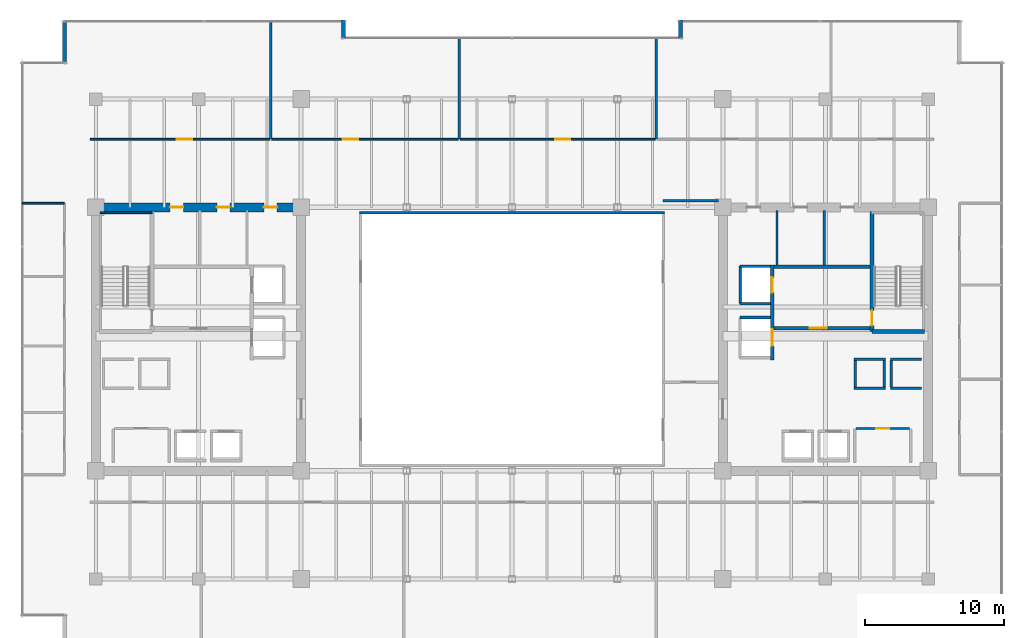
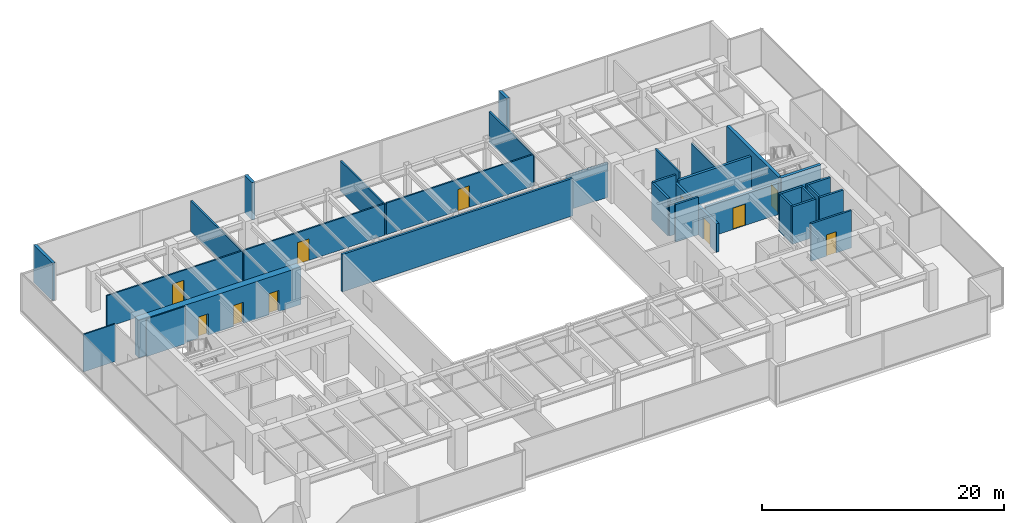
# One storey, part 27 of 31: 33 walls, 11 doors, 11 openings.
"""IFC4 building model written with IfcOpenShell, lengths in metres."""

from ifc_helpers import new_model, si_unit, direction, frame, frame_2d, origin, place, context, subcontext, project, spatial, rectangle, extrude, source, transform, mapped, material, layer, layer_set, type_object, type_shapes, element, fill, save


model = new_model("IFC4")

# Units and contexts
model_context = context("Model", 3, precision=1e-05, world=origin(), true_north=direction((0.0, 1.0)))
body_context = subcontext(model_context, "Body", "Model", "MODEL_VIEW")
ifc_project = project(units=[si_unit("LENGTHUNIT", "METRE"), si_unit("AREAUNIT", "SQUARE_METRE"), si_unit("VOLUMEUNIT", "CUBIC_METRE"), si_unit("PLANEANGLEUNIT", "RADIAN"), si_unit("MASSUNIT", "GRAM", prefix="KILO")], contexts=[model_context])

# Site, building, storey
site_placement = place(None, origin())
site = spatial("IfcSite", under=ifc_project, at=site_placement, CompositionType="ELEMENT")
building_placement = place(site_placement, origin())
building = spatial("IfcBuilding", under=site, at=building_placement, Name="Haelvirn Gate Laboratories", CompositionType="ELEMENT")
storey_placement = place(building_placement, frame((0.0, 0.0, 150.199951171875)))
storey = spatial("IfcBuildingStorey", under=building, at=storey_placement, Name="L36", CompositionType="ELEMENT", Elevation=150.199951171875)

# Walls
ifc_material_1 = material(Name="Thermally-broken bronze aluminium rainscreen & mineral wool", Category="aluminium")
ifc_layer_1 = layer(ifc_material_1, 0.280029296875, Name="EW-TERR-280")
ifc_layer_set_1 = layer_set([ifc_layer_1], Name="Thermally-broken bronze aluminium rainscreen & mineral wool")
wall_type_1 = type_object("IfcWallType", Name="EW-TERR-280", PredefinedType="STANDARD", material=ifc_layer_set_1)
for number, where, z_axis, x_axis, name in (
    (1, (49.5400390625, 47.300048828125, 0.0), (0.0, 0.0, 1.0), (0.0, -1.0, 0.0), "L36 Atrium Recess Bronze Return Wall 11"),
    (2, (25.260009765625, 46.011962890625, 0.0), (0.0, 0.0, 1.0), (0.0, 1.0, 0.0), "L36 Atrium Recess Bronze Return Wall 13"),
):
    element("IfcWall", number, at=place(storey_placement, frame(where, z_axis=z_axis, x_axis=x_axis)), inside=storey, type_object=wall_type_1, Name=name, PredefinedType="STANDARD", context=body_context, shape_type="SweptSolid", body=[
        extrude(rectangle(XDim=1.2880859375, YDim=0.280029296875, at=frame_2d((0.64404296875, 0.0))), origin(), (0.0, 0.0, 1.0), 3.7900390625),
    ])
wall_1_placement = place(storey_placement, frame((5.139892578125, 47.300048828125, 0.0), z_axis=(0.0, 0.0, 1.0), x_axis=(0.0, -1.0, 0.0)))
element("IfcWall", 3, at=wall_1_placement, inside=storey, type_object=wall_type_1, Name="L36 Atrium Recess Bronze Return Wall 15", PredefinedType="STANDARD", context=body_context, shape_type="SweptSolid", body=[
    extrude(rectangle(XDim=3.088134765625, YDim=0.280029296875, at=frame_2d((1.5439453125, 0.0))), origin(), (0.0, 0.0, 1.0), 3.7900390625),
])
ifc_material_2 = material(Name="Double-layer acoustic gypsum laboratory partition", Category="gypsum")
ifc_layer_2 = layer(ifc_material_2, 0.159912109375, Name="IW-ACOUST-160")
ifc_layer_set_2 = layer_set([ifc_layer_2], Name="Double-layer acoustic gypsum laboratory partition")
wall_type_2 = type_object("IfcWallType", Name="IW-ACOUST-160", PredefinedType="PARTITIONING", material=ifc_layer_set_2)
wall_2_placement = place(storey_placement, frame((20.0, 38.705078125, 0.0), z_axis=(0.0, 0.0, 1.0), x_axis=(0.0, 1.0, 0.0)))
element("IfcWall", 4, at=wall_2_placement, inside=storey, type_object=wall_type_2, Name="L36 Interior Wall IW-L36-NDIV-01", PredefinedType="PARTITIONING", context=body_context, shape_type="SweptSolid", body=[
    extrude(rectangle(XDim=8.48486328125, YDim=0.159912109375, at=frame_2d((4.242431640625, 0.0))), origin(), (0.0, 0.0, 1.0), 3.074951171875),
])
for number, where, z_axis, x_axis, name in (
    (5, (33.60009765625, 38.705078125, 0.0), (0.0, 0.0, 1.0), (0.0, 1.0, 0.0), "L36 Interior Wall IW-L36-NDIV-02"),
    (6, (47.800048828125, 38.705078125, 0.0), (0.0, 0.0, 1.0), (0.0, 1.0, 0.0), "L36 Interior Wall IW-L36-NDIV-03"),
):
    element("IfcWall", number, at=place(storey_placement, frame(where, z_axis=z_axis, x_axis=x_axis)), inside=storey, type_object=wall_type_2, Name=name, PredefinedType="PARTITIONING", context=body_context, shape_type="SweptSolid", body=[
        extrude(rectangle(XDim=7.284912109375, YDim=0.159912109375, at=frame_2d((3.642578125, 0.0))), origin(), (0.0, 0.0, 1.0), 3.074951171875),
    ])
ifc_material_3 = material(Name="Fire-rated acoustic gypsum board partition", Category="gypsum")
ifc_layer_3 = layer(ifc_material_3, 0.175048828125, Name="IW-ACOUST-180")
ifc_layer_set_3 = layer_set([ifc_layer_3], Name="Fire-rated acoustic gypsum board partition")
wall_type_3 = type_object("IfcWallType", Name="IW-ACOUST-180", PredefinedType="PARTITIONING", material=ifc_layer_set_3)
wall_3_placement = place(storey_placement, frame((48.300048828125, 34.260009765625, 0.0), z_axis=(0.0, 0.0, 1.0), x_axis=(1.0, 0.0, 0.0)))
element("IfcWall", 7, at=wall_3_placement, inside=storey, type_object=wall_type_3, Name="L36 Interior Wall IW-L36-ASEM-N", PredefinedType="PARTITIONING", context=body_context, shape_type="SweptSolid", body=[
    extrude(rectangle(XDim=3.974853515625, YDim=0.175048828125, at=frame_2d((1.9873046875, 0.0))), origin(), (0.0, 0.0, 1.0), 3.47509765625),
])
ifc_material_4 = material(Name="Tempered fire-rated borosilicate glass & anodised aluminium", Category="aluminium")
ifc_layer_4 = layer(ifc_material_4, 0.195068359375, Name="IW-GLAZ-200")
ifc_layer_set_4 = layer_set([ifc_layer_4], Name="Tempered fire-rated borosilicate glass & anodised aluminium")
wall_type_4 = type_object("IfcWallType", Name="IW-GLAZ-200", PredefinedType="SOLIDWALL", material=ifc_layer_set_4)
wall_4_placement = place(storey_placement, frame((26.39990234375, 33.39990234375, 0.0), z_axis=(0.0, 0.0, 1.0), x_axis=(1.0, 0.0, 0.0)))
element("IfcWall", 8, at=wall_4_placement, inside=storey, type_object=wall_type_4, Name="L36 Interior Wall IW-L36-ATRIUM-N", PredefinedType="SOLIDWALL", context=body_context, shape_type="SweptSolid", body=[
    extrude(rectangle(XDim=22.0, YDim=0.195068359375, at=frame_2d((11.0, 0.0))), origin(), (0.0, 0.0, 1.0), 3.7900390625),
])
ifc_material_5 = material(Name="Lightweight acoustic gypsum board partition", Category="gypsum")
ifc_layer_5 = layer(ifc_material_5, 0.1201171875, Name="IW-PART-120")
ifc_layer_set_5 = layer_set([ifc_layer_5], Name="Lightweight acoustic gypsum board partition")
wall_type_5 = type_object("IfcWallType", Name="IW-PART-120", PredefinedType="PARTITIONING", material=ifc_layer_set_5)
wall_5_placement = place(storey_placement, frame((2.110107421875, 34.0849609375, 0.0), z_axis=(0.0, 0.0, 1.0), x_axis=(1.0, 0.0, 0.0)))
element("IfcWall", 9, at=wall_5_placement, inside=storey, type_object=wall_type_5, Name="L36 Interior Wall IW-L36-WCAP-N", PredefinedType="PARTITIONING", context=body_context, shape_type="SweptSolid", body=[
    extrude(rectangle(XDim=3.019775390625, YDim=0.1201171875, at=frame_2d((1.509765625, 0.0))), origin(), (0.0, 0.0, 1.0), 3.7900390625),
])

# Wall, opening, door
ifc_material_6 = material(Name="Acoustic mineral-wool gypsum board partition", Category="gypsum")
ifc_layer_6 = layer(ifc_material_6, 0.139892578125, Name="IW-PART-140")
ifc_layer_set_6 = layer_set([ifc_layer_6], Name="Acoustic mineral-wool gypsum board partition")
wall_type_6 = type_object("IfcWallType", Name="IW-PART-140", PredefinedType="PARTITIONING", material=ifc_layer_set_6)
wall_6_placement = place(storey_placement, frame((6.97998046875, 38.705078125, 0.0), z_axis=(0.0, 0.0, 1.0), x_axis=(1.0, 0.0, 0.0)))
wall_6 = element("IfcWall", 10, at=wall_6_placement, inside=storey, type_object=wall_type_6, Name="L36 Interior Wall IW-L36-NCORR-01", PredefinedType="PARTITIONING", context=body_context, shape_type="SweptSolid", body=[
    extrude(rectangle(XDim=12.93994140625, YDim=0.139892578125, at=frame_2d((6.469970703125, 0.0))), origin(), (0.0, 0.0, 1.0), 3.18701171875),
])
opening_1_placement = place(wall_6_placement, frame((6.254150390625, 0.0, 0.0)))
opening_1 = element("IfcOpeningElement", 11, at=opening_1_placement, cuts=wall_6, Name="Opening D1", PredefinedType="OPENING", context=body_context, shape_type="SweptSolid", body=[
    extrude(rectangle(XDim=1.10009765625, YDim=2.179931640625, at=frame_2d((0.550048828125, 1.08984375))), frame((0.0, 0.080078125, 0.0), z_axis=(0.0, -1.0, 0.0), x_axis=(1.0, 0.0, 0.0)), (0.0, 0.0, 1.0), 0.159912109375),
])
ifc_material_7 = material(Name="Vision-panel acoustic solid-core timber lab door", Category="wood")
door_type_1 = type_object("IfcDoorType", Name="DR-LAB-1100", OperationType="NOTDEFINED", PredefinedType="DOOR", material=ifc_material_7)
shared_shape_1 = source(origin(), body_context, "Body", "SweptSolid", [
    extrude(rectangle(XDim=1.10009765625, YDim=2.179931640625, at=frame_2d((0.550048828125, 1.08984375))), frame((0.0, 0.02490234375, 0.0), z_axis=(0.0, -1.0, 0.0), x_axis=(1.0, 0.0, 0.0)), (0.0, 0.0, 1.0), 0.050048828125),
])
type_shapes(door_type_1, [shared_shape_1])
door_1_placement = place(opening_1_placement, origin())
door_1 = element("IfcDoor", 12, at=door_1_placement, inside=storey, type_object=door_type_1, Name="L36 Cryo-EM Imaging Suite Door N1", OperationType="SINGLE_SWING_RIGHT", OverallHeight=2.179931640625, OverallWidth=1.10009765625, PredefinedType="DOOR", context=body_context, shape_type="MappedRepresentation", body=[
    mapped(shared_shape_1, transform((0.0, 0.0, 0.0), scale=1.0)),
])
fill(opening_1, door_1)

wall_7_placement = place(storey_placement, frame((20.080078125, 38.705078125, 0.0), z_axis=(0.0, 0.0, 1.0), x_axis=(1.0, 0.0, 0.0)))
wall_7 = element("IfcWall", 13, at=wall_7_placement, inside=storey, type_object=wall_type_6, Name="L36 Interior Wall IW-L36-NCORR-02", PredefinedType="PARTITIONING", context=body_context, shape_type="SweptSolid", body=[
    extrude(rectangle(XDim=13.43994140625, YDim=0.139892578125, at=frame_2d((6.719970703125, 0.0))), origin(), (0.0, 0.0, 1.0), 3.18701171875),
])
opening_2_placement = place(wall_7_placement, frame((5.122314453125, 0.0, 0.0)))
opening_2 = element("IfcOpeningElement", 14, at=opening_2_placement, cuts=wall_7, Name="Opening D1", PredefinedType="OPENING", context=body_context, shape_type="SweptSolid", body=[
    extrude(rectangle(XDim=1.10009765625, YDim=2.179931640625, at=frame_2d((0.550048828125, 1.08984375))), frame((0.0, 0.080078125, 0.0), z_axis=(0.0, -1.0, 0.0), x_axis=(1.0, 0.0, 0.0)), (0.0, 0.0, 1.0), 0.159912109375),
])
door_2_placement = place(opening_2_placement, origin())
door_2 = element("IfcDoor", 15, at=door_2_placement, inside=storey, type_object=door_type_1, Name="L36 Analytical Instrument Suite Door N2", OperationType="SINGLE_SWING_LEFT", OverallHeight=2.179931640625, OverallWidth=1.10009765625, PredefinedType="DOOR", context=body_context, shape_type="MappedRepresentation", body=[
    mapped(shared_shape_1, transform((0.0, 0.0, 0.0), scale=1.0)),
])
fill(opening_2, door_2)

wall_8_placement = place(storey_placement, frame((33.679931640625, 38.705078125, 0.0), z_axis=(0.0, 0.0, 1.0), x_axis=(1.0, 0.0, 0.0)))
wall_8 = element("IfcWall", 16, at=wall_8_placement, inside=storey, type_object=wall_type_6, Name="L36 Interior Wall IW-L36-NCORR-03", PredefinedType="PARTITIONING", context=body_context, shape_type="SweptSolid", body=[
    extrude(rectangle(XDim=14.0400390625, YDim=0.139892578125, at=frame_2d((7.02001953125, 0.0))), origin(), (0.0, 0.0, 1.0), 3.18701171875),
])
opening_3_placement = place(wall_8_placement, frame((6.837158203125, 0.0, 0.0)))
opening_3 = element("IfcOpeningElement", 17, at=opening_3_placement, cuts=wall_8, Name="Opening D1", PredefinedType="OPENING", context=body_context, shape_type="SweptSolid", body=[
    extrude(rectangle(XDim=1.10009765625, YDim=2.179931640625, at=frame_2d((0.550048828125, 1.08984375))), frame((0.0, 0.080078125, 0.0), z_axis=(0.0, -1.0, 0.0), x_axis=(1.0, 0.0, 0.0)), (0.0, 0.0, 1.0), 0.159912109375),
])
door_3_placement = place(opening_3_placement, origin())
door_3 = element("IfcDoor", 18, at=door_3_placement, inside=storey, type_object=door_type_1, Name="L36 Laser-Safety Consult Room Door N3", OperationType="SINGLE_SWING_RIGHT", OverallHeight=2.179931640625, OverallWidth=1.10009765625, PredefinedType="DOOR", context=body_context, shape_type="MappedRepresentation", body=[
    mapped(shared_shape_1, transform((0.0, 0.0, 0.0), scale=1.0)),
])
fill(opening_3, door_3)

# Walls
ifc_material_8 = material(Name="Cement-board restroom plumbing chase wall", Category="gypsum")
ifc_layer_7 = layer(ifc_material_8, 0.155029296875, Name="IW-PLUMB-160")
ifc_layer_set_7 = layer_set([ifc_layer_7], Name="Cement-board restroom plumbing chase wall")
wall_type_7 = type_object("IfcWallType", Name="IW-PLUMB-160", PredefinedType="PLUMBINGWALL", material=ifc_layer_set_7)
wall_9_placement = place(storey_placement, frame((59.909912109375, 29.64990234375, 0.0), z_axis=(0.0, 0.0, 1.0), x_axis=(0.0, 1.0, 0.0)))
element("IfcWall", 19, at=wall_9_placement, inside=storey, type_object=wall_type_7, Name="L36 Interior Wall IW-L36-E-CDIV-1", PredefinedType="PLUMBINGWALL", context=body_context, shape_type="SweptSolid", body=[
    extrude(rectangle(XDim=3.93017578125, YDim=0.155029296875, at=frame_2d((1.965087890625, 0.0))), origin(), (0.0, 0.0, 1.0), 3.18701171875),
])
wall_10_placement = place(storey_placement, frame((56.510009765625, 29.64990234375, 0.0), z_axis=(0.0, 0.0, 1.0), x_axis=(0.0, 1.0, 0.0)))
element("IfcWall", 20, at=wall_10_placement, inside=storey, type_object=wall_type_7, Name="L36 Interior Wall IW-L36-E-CDIV-2", PredefinedType="PLUMBINGWALL", context=body_context, shape_type="SweptSolid", body=[
    extrude(rectangle(XDim=3.93017578125, YDim=0.155029296875, at=frame_2d((1.965087890625, 0.0))), origin(), (0.0, 0.0, 1.0), 3.7900390625),
])
ifc_material_9 = material(Name="Concrete C40/50", Category="concrete")
ifc_layer_8 = layer(ifc_material_9, 0.179931640625, Name="IW-SHAFT-180")
ifc_layer_set_8 = layer_set([ifc_layer_8], Name="Concrete C40/50")
wall_type_8 = type_object("IfcWallType", Name="IW-SHAFT-180", PredefinedType="SOLIDWALL", material=ifc_layer_set_8)
for number, where, z_axis, x_axis, name in (
    (21, (64.75, 20.85009765625, 0.0), (0.0, 0.0, 1.0), (0.0, 1.0, 0.0), "L36 Interior Wall IW-L36-PL11-SD"),
    (22, (62.14990234375, 20.85009765625, 0.0), (0.0, 0.0, 1.0), (0.0, 1.0, 0.0), "L36 Interior Wall IW-L36-PL12-SD"),
    (23, (64.25, 20.85009765625, 0.0), (0.0, 0.0, 1.0), (0.0, 1.0, 0.0), "L36 Interior Wall IW-L36-PL12-SDE"),
):
    element("IfcWall", number, at=place(storey_placement, frame(where, z_axis=z_axis, x_axis=x_axis)), inside=storey, type_object=wall_type_8, Name=name, PredefinedType="SOLIDWALL", context=body_context, shape_type="SweptSolid", body=[
        extrude(rectangle(XDim=1.89990234375, YDim=0.179931640625, at=frame_2d((0.949951171875, 0.0))), origin(), (0.0, 0.0, 1.0), 3.7900390625),
    ])

# Wall, opening, door
wall_11_placement = place(storey_placement, frame((62.199951171875, 17.85009765625, 0.0), z_axis=(0.0, 0.0, 1.0), x_axis=(1.0, 0.0, 0.0)))
wall_11 = element("IfcWall", 24, at=wall_11_placement, inside=storey, type_object=wall_type_8, Name="L36 Interior Wall IW-L36-E-FREED-LN-1", PredefinedType="SOLIDWALL", context=body_context, shape_type="SweptSolid", body=[
    extrude(rectangle(XDim=3.85009765625, YDim=0.179931640625, at=frame_2d((1.925048828125, 0.0))), origin(), (0.0, 0.0, 1.0), 3.7900390625),
])
opening_4_placement = place(wall_11_placement, frame((1.449951171875, 0.0, 0.0)))
opening_4 = element("IfcOpeningElement", 25, at=opening_4_placement, cuts=wall_11, Name="Opening FD4", PredefinedType="OPENING", context=body_context, shape_type="SweptSolid", body=[
    extrude(rectangle(XDim=0.949951171875, YDim=2.14990234375, at=frame_2d((0.47509765625, 1.074951171875))), frame((0.0, 0.10009765625, 0.0), z_axis=(0.0, -1.0, 0.0), x_axis=(1.0, 0.0, 0.0)), (0.0, 0.0, 1.0), 0.199951171875),
])
ifc_material_10 = material(Name="Fire-rated steel SM355 core service door", Category="steel")
door_type_2 = type_object("IfcDoorType", Name="DR-FD-950", OperationType="NOTDEFINED", PredefinedType="DOOR", material=ifc_material_10)
shared_shape_2 = source(origin(), body_context, "Body", "SweptSolid", [
    extrude(rectangle(XDim=0.949951171875, YDim=2.14990234375, at=frame_2d((0.47509765625, 1.074951171875))), frame((0.0, 0.02490234375, 0.0), z_axis=(0.0, -1.0, 0.0), x_axis=(1.0, 0.0, 0.0)), (0.0, 0.0, 1.0), 0.050048828125),
])
type_shapes(door_type_2, [shared_shape_2])
door_4_placement = place(opening_4_placement, origin())
door_4 = element("IfcDoor", 26, at=door_4_placement, inside=storey, type_object=door_type_2, Name="L36 Cryo-Dewar & Sterile Glassware Room Door", OperationType="SINGLE_SWING_LEFT", OverallHeight=2.14990234375, OverallWidth=0.949951171875, PredefinedType="DOOR", context=body_context, shape_type="MappedRepresentation", body=[
    mapped(shared_shape_2, transform((0.0, 0.0, 0.0), scale=1.0)),
])
fill(opening_4, door_4)

# Walls
ifc_layer_9 = layer(ifc_material_9, 0.199951171875, Name="IW-SHAFT-200")
ifc_layer_set_9 = layer_set([ifc_layer_9], Name="Concrete C40/50")
wall_type_9 = type_object("IfcWallType", Name="IW-SHAFT-200", PredefinedType="SOLIDWALL", material=ifc_layer_set_9)
for number, where, z_axis, x_axis, name in (
    (27, (64.669921875, 20.75, 0.0), (0.0, 0.0, 1.0), (1.0, 0.0, 0.0), "L36 Interior Wall IW-L36-PL11-FR"),
    (28, (64.669921875, 22.85009765625, 0.0), (0.0, 0.0, 1.0), (1.0, 0.0, 0.0), "L36 Interior Wall IW-L36-PL11-BK"),
    (29, (62.070068359375, 20.75, 0.0), (0.0, 0.0, 1.0), (1.0, 0.0, 0.0), "L36 Interior Wall IW-L36-PL12-FR"),
    (30, (62.070068359375, 22.85009765625, 0.0), (0.0, 0.0, 1.0), (1.0, 0.0, 0.0), "L36 Interior Wall IW-L36-PL12-BK"),
):
    element("IfcWall", number, at=place(storey_placement, frame(where, z_axis=z_axis, x_axis=x_axis)), inside=storey, type_object=wall_type_9, Name=name, PredefinedType="SOLIDWALL", context=body_context, shape_type="SweptSolid", body=[
        extrude(rectangle(XDim=2.260009765625, YDim=0.199951171875, at=frame_2d((1.1298828125, 0.0))), origin(), (0.0, 0.0, 1.0), 3.7900390625),
    ])
wall_12_placement = place(storey_placement, frame((53.85009765625, 26.85009765625, 0.0), z_axis=(0.0, 0.0, 1.0), x_axis=(0.0, 1.0, 0.0)))
element("IfcWall", 31, at=wall_12_placement, inside=storey, type_object=wall_type_9, Name="L36 Interior Wall IW-L36-FL2-BK", PredefinedType="SOLIDWALL", context=body_context, shape_type="SweptSolid", body=[
    extrude(rectangle(XDim=2.699951171875, YDim=0.199951171875, at=frame_2d((1.35009765625, 0.0))), origin(), (0.0, 0.0, 1.0), 3.7900390625),
])
wall_13_placement = place(storey_placement, frame((53.85009765625, 29.550048828125, 0.0), z_axis=(0.0, 0.0, 1.0), x_axis=(1.0, 0.0, 0.0)))
element("IfcWall", 32, at=wall_13_placement, inside=storey, type_object=wall_type_9, Name="L36 Interior Wall IW-L36-FL2-N", PredefinedType="SOLIDWALL", context=body_context, shape_type="SweptSolid", body=[
    extrude(rectangle(XDim=2.18994140625, YDim=0.199951171875, at=frame_2d((1.094970703125, 0.0))), origin(), (0.0, 0.0, 1.0), 3.7900390625),
])
wall_14_placement = place(storey_placement, frame((53.85009765625, 26.85009765625, 0.0), z_axis=(0.0, 0.0, 1.0), x_axis=(1.0, 0.0, 0.0)))
element("IfcWall", 33, at=wall_14_placement, inside=storey, type_object=wall_type_9, Name="L36 Interior Wall IW-L36-FL2-S", PredefinedType="SOLIDWALL", context=body_context, shape_type="SweptSolid", body=[
    extrude(rectangle(XDim=2.18994140625, YDim=0.199951171875, at=frame_2d((1.094970703125, 0.0))), origin(), (0.0, 0.0, 1.0), 3.18701171875),
])
wall_15_placement = place(storey_placement, frame((53.85009765625, 25.85009765625, 0.0), z_axis=(0.0, 0.0, 1.0), x_axis=(1.0, 0.0, 0.0)))
element("IfcWall", 34, at=wall_15_placement, inside=storey, type_object=wall_type_9, Name="L36 Interior Wall IW-L36-SL2-N", PredefinedType="SOLIDWALL", context=body_context, shape_type="SweptSolid", body=[
    extrude(rectangle(XDim=2.18994140625, YDim=0.199951171875, at=frame_2d((1.094970703125, 0.0))), origin(), (0.0, 0.0, 1.0), 3.7900390625),
])

# Wall, opening, door
ifc_layer_10 = layer(ifc_material_9, 0.239990234375, Name="IW-SHAFT-240")
ifc_layer_set_10 = layer_set([ifc_layer_10], Name="Concrete C40/50")
wall_type_10 = type_object("IfcWallType", Name="IW-SHAFT-240", PredefinedType="SOLIDWALL", material=ifc_layer_set_10)
wall_16_placement = place(storey_placement, frame((56.280029296875, 25.080078125, 0.0), z_axis=(0.0, 0.0, 1.0), x_axis=(1.0, 0.0, 0.0)))
wall_16 = element("IfcWall", 35, at=wall_16_placement, inside=storey, type_object=wall_type_10, Name="L36 Interior Wall IW-L36-E-FF-S", PredefinedType="SOLIDWALL", context=body_context, shape_type="SweptSolid", body=[
    extrude(rectangle(XDim=6.919921875, YDim=0.239990234375, at=frame_2d((3.4599609375, 0.0))), origin(), (0.0, 0.0, 1.0), 3.18701171875),
])
opening_5_placement = place(wall_16_placement, frame((2.60009765625, 0.0, 0.0)))
opening_5 = element("IfcOpeningElement", 36, at=opening_5_placement, cuts=wall_16, Name="Opening FD2", PredefinedType="OPENING", context=body_context, shape_type="SweptSolid", body=[
    extrude(rectangle(XDim=1.199951171875, YDim=2.159912109375, at=frame_2d((0.60009765625, 1.080078125))), frame((0.0, 0.1298828125, 0.0), z_axis=(0.0, -1.0, 0.0), x_axis=(1.0, 0.0, 0.0)), (0.0, 0.0, 1.0), 0.260009765625),
])
ifc_material_11 = material(Name="Fire-rated steel SM355 compartment door", Category="steel")
door_type_3 = type_object("IfcDoorType", Name="DR-FD-1200", OperationType="NOTDEFINED", PredefinedType="DOOR", material=ifc_material_11)
shared_shape_3 = source(origin(), body_context, "Body", "SweptSolid", [
    extrude(rectangle(XDim=1.199951171875, YDim=2.159912109375, at=frame_2d((0.60009765625, 1.080078125))), frame((0.0, 0.02490234375, 0.0), z_axis=(0.0, -1.0, 0.0), x_axis=(1.0, 0.0, 0.0)), (0.0, 0.0, 1.0), 0.050048828125),
])
type_shapes(door_type_3, [shared_shape_3])
door_5_placement = place(opening_5_placement, origin())
door_5 = element("IfcDoor", 37, at=door_5_placement, inside=storey, type_object=door_type_3, Name="L36 East Firefighting Lobby Door", OperationType="SINGLE_SWING_LEFT", OverallHeight=2.159912109375, OverallWidth=1.199951171875, PredefinedType="DOOR", context=body_context, shape_type="MappedRepresentation", body=[
    mapped(shared_shape_3, transform((0.0, 0.0, 0.0), scale=1.0)),
])
fill(opening_5, door_5)

# Wall
wall_17_placement = place(storey_placement, frame((56.280029296875, 29.52001953125, 0.0), z_axis=(0.0, 0.0, 1.0), x_axis=(1.0, 0.0, 0.0)))
element("IfcWall", 38, at=wall_17_placement, inside=storey, type_object=wall_type_10, Name="L36 Interior Wall IW-L36-E-FF-N", PredefinedType="SOLIDWALL", context=body_context, shape_type="SweptSolid", body=[
    extrude(rectangle(XDim=6.919921875, YDim=0.239990234375, at=frame_2d((3.4599609375, 0.0))), origin(), (0.0, 0.0, 1.0), 3.18701171875),
])

# Wall, openings, doors
wall_18_placement = place(storey_placement, frame((56.159912109375, 22.800048828125, 0.0), z_axis=(0.0, 0.0, 1.0), x_axis=(0.0, 1.0, 0.0)))
wall_18 = element("IfcWall", 39, at=wall_18_placement, inside=storey, type_object=wall_type_10, Name="L36 Interior Wall IW-L36-E-FF-E", PredefinedType="SOLIDWALL", context=body_context, shape_type="SweptSolid", body=[
    extrude(rectangle(XDim=6.849853515625, YDim=0.239990234375, at=frame_2d((3.4248046875, 0.0))), origin(), (0.0, 0.0, 1.0), 2.875),
])
opening_6_placement = place(wall_18_placement, frame((4.85009765625, 0.0, 0.0)))
opening_6 = element("IfcOpeningElement", 40, at=opening_6_placement, cuts=wall_18, Name="Opening LD2", PredefinedType="OPENING", context=body_context, shape_type="SweptSolid", body=[
    extrude(rectangle(XDim=1.10009765625, YDim=2.219970703125, at=frame_2d((0.550048828125, 1.10986328125))), frame((0.0, 0.1298828125, 0.0), z_axis=(0.0, -1.0, 0.0), x_axis=(1.0, 0.0, 0.0)), (0.0, 0.0, 1.0), 0.260009765625),
])
opening_7_placement = place(wall_18_placement, frame((1.0, 0.0, 0.0)))
opening_7 = element("IfcOpeningElement", 41, at=opening_7_placement, cuts=wall_18, Name="Opening LD1", PredefinedType="OPENING", context=body_context, shape_type="SweptSolid", body=[
    extrude(rectangle(XDim=1.199951171875, YDim=2.219970703125, at=frame_2d((0.60009765625, 1.10986328125))), frame((0.0, 0.1298828125, 0.0), z_axis=(0.0, -1.0, 0.0), x_axis=(1.0, 0.0, 0.0)), (0.0, 0.0, 1.0), 0.260009765625),
])
ifc_material_12 = material(Name="Bronze stainless 316L sliding lift landing door")
door_type_4 = type_object("IfcDoorType", Name="DR-LD-1100", OperationType="NOTDEFINED", PredefinedType="USERDEFINED", material=ifc_material_12)
shared_shape_4 = source(origin(), body_context, "Body", "SweptSolid", [
    extrude(rectangle(XDim=1.10009765625, YDim=2.219970703125, at=frame_2d((0.550048828125, 1.10986328125))), frame((0.0, 0.02490234375, 0.0), z_axis=(0.0, -1.0, 0.0), x_axis=(1.0, 0.0, 0.0)), (0.0, 0.0, 1.0), 0.050048828125),
])
type_shapes(door_type_4, [shared_shape_4])
door_6_placement = place(opening_6_placement, origin())
door_6 = element("IfcDoor", 42, at=door_6_placement, inside=storey, type_object=door_type_4, Name="L36 Firefighting Lift FL2 Landing Door", ObjectType="LANDING_DOOR", OperationType="SLIDING_TO_RIGHT", OverallHeight=2.219970703125, OverallWidth=1.10009765625, PredefinedType="USERDEFINED", context=body_context, shape_type="MappedRepresentation", body=[
    mapped(shared_shape_4, transform((0.0, 0.0, 0.0), scale=1.0)),
])
fill(opening_6, door_6)
ifc_material_13 = material(Name="Stainless steel 316L sliding goods landing door", Category="steel")
door_type_5 = type_object("IfcDoorType", Name="DR-LD-1200", OperationType="NOTDEFINED", PredefinedType="USERDEFINED", material=ifc_material_13)
shared_shape_5 = source(origin(), body_context, "Body", "SweptSolid", [
    extrude(rectangle(XDim=1.199951171875, YDim=2.219970703125, at=frame_2d((0.60009765625, 1.10986328125))), frame((0.0, 0.02490234375, 0.0), z_axis=(0.0, -1.0, 0.0), x_axis=(1.0, 0.0, 0.0)), (0.0, 0.0, 1.0), 0.050048828125),
])
type_shapes(door_type_5, [shared_shape_5])
door_7_placement = place(opening_7_placement, origin())
door_7 = element("IfcDoor", 43, at=door_7_placement, inside=storey, type_object=door_type_5, Name="L36 Service Lift SL2 Landing Door", ObjectType="LANDING_DOOR", OperationType="SLIDING_TO_LEFT", OverallHeight=2.219970703125, OverallWidth=1.199951171875, PredefinedType="USERDEFINED", context=body_context, shape_type="MappedRepresentation", body=[
    mapped(shared_shape_5, transform((0.0, 0.0, 0.0), scale=1.0)),
])
fill(opening_7, door_7)

ifc_material_14 = material(Name="Concrete C60/75", Category="concrete")
ifc_layer_11 = layer(ifc_material_14, 0.64990234375, Name="SW-CORE-650")
ifc_layer_set_11 = layer_set([ifc_layer_11], Name="Concrete C60/75")
wall_type_11 = type_object("IfcWallType", Name="SW-CORE-650", PredefinedType="SHEAR", material=ifc_layer_set_11)
wall_19_placement = place(storey_placement, frame((7.074951171875, 33.800048828125, 0.0), z_axis=(0.0, 0.0, 1.0), x_axis=(1.0, 0.0, 0.0)))
wall_19 = element("IfcWall", 44, at=wall_19_placement, inside=storey, type_object=wall_type_11, Name="L36 W Core Shear Wall N", PredefinedType="SHEAR", context=body_context, shape_type="SweptSolid", body=[
    extrude(rectangle(XDim=15.449951171875, YDim=0.64990234375, at=frame_2d((7.72509765625, 0.0))), origin(), (0.0, 0.0, 1.0), 3.7900390625),
])
opening_8_placement = place(wall_19_placement, frame((5.675048828125, 0.0, 0.0)))
opening_8 = element("IfcOpeningElement", 45, at=opening_8_placement, cuts=wall_19, Name="Opening FD4", PredefinedType="OPENING", context=body_context, shape_type="SweptSolid", body=[
    extrude(rectangle(XDim=0.949951171875, YDim=2.14990234375, at=frame_2d((0.47509765625, 1.074951171875))), frame((0.0, 0.3349609375, 0.0), z_axis=(0.0, -1.0, 0.0), x_axis=(1.0, 0.0, 0.0)), (0.0, 0.0, 1.0), 0.669921875),
])
opening_9_placement = place(wall_19_placement, frame((9.0400390625, 0.0, 0.0)))
opening_9 = element("IfcOpeningElement", 46, at=opening_9_placement, cuts=wall_19, Name="Opening FD4", PredefinedType="OPENING", context=body_context, shape_type="SweptSolid", body=[
    extrude(rectangle(XDim=0.949951171875, YDim=2.14990234375, at=frame_2d((0.47509765625, 1.074951171875))), frame((0.0, 0.3349609375, 0.0), z_axis=(0.0, -1.0, 0.0), x_axis=(1.0, 0.0, 0.0)), (0.0, 0.0, 1.0), 0.669921875),
])
opening_10_placement = place(wall_19_placement, frame((12.43994140625, 0.0, 0.0)))
opening_10 = element("IfcOpeningElement", 47, at=opening_10_placement, cuts=wall_19, Name="Opening FD4", PredefinedType="OPENING", context=body_context, shape_type="SweptSolid", body=[
    extrude(rectangle(XDim=0.949951171875, YDim=2.14990234375, at=frame_2d((0.47509765625, 1.074951171875))), frame((0.0, 0.3349609375, 0.0), z_axis=(0.0, -1.0, 0.0), x_axis=(1.0, 0.0, 0.0)), (0.0, 0.0, 1.0), 0.669921875),
])
door_8_placement = place(opening_8_placement, origin())
door_8 = element("IfcDoor", 48, at=door_8_placement, inside=storey, type_object=door_type_2, Name="L36 Male Restroom Fire Door", OperationType="SINGLE_SWING_LEFT", OverallHeight=2.14990234375, OverallWidth=0.949951171875, PredefinedType="DOOR", context=body_context, shape_type="MappedRepresentation", body=[
    mapped(shared_shape_2, transform((0.0, 0.0, 0.0), scale=1.0)),
])
fill(opening_8, door_8)
door_9_placement = place(opening_9_placement, origin())
door_9 = element("IfcDoor", 49, at=door_9_placement, inside=storey, type_object=door_type_2, Name="L36 Female Restroom Fire Door", OperationType="SINGLE_SWING_RIGHT", OverallHeight=2.14990234375, OverallWidth=0.949951171875, PredefinedType="DOOR", context=body_context, shape_type="MappedRepresentation", body=[
    mapped(shared_shape_2, transform((0.0, 0.0, 0.0), scale=1.0)),
])
fill(opening_9, door_9)
door_10_placement = place(opening_10_placement, origin())
door_10 = element("IfcDoor", 50, at=door_10_placement, inside=storey, type_object=door_type_2, Name="L36 Accessible Restroom Fire Door", OperationType="SINGLE_SWING_LEFT", OverallHeight=2.14990234375, OverallWidth=0.949951171875, PredefinedType="DOOR", context=body_context, shape_type="MappedRepresentation", body=[
    mapped(shared_shape_2, transform((0.0, 0.0, 0.0), scale=1.0)),
])
fill(opening_10, door_10)

# Wall
ifc_material_15 = material(Name="Concrete C50/60", Category="concrete")
ifc_layer_12 = layer(ifc_material_15, 0.1201171875, Name="SW-LINER-120")
ifc_layer_set_12 = layer_set([ifc_layer_12], Name="Concrete C50/60")
wall_type_12 = type_object("IfcWallType", Name="SW-LINER-120", PredefinedType="SOLIDWALL", material=ifc_layer_set_12)
wall_20_placement = place(storey_placement, frame((7.72998046875, 33.39990234375, 0.0), z_axis=(0.0, 0.0, 1.0), x_axis=(1.0, 0.0, 0.0)))
element("IfcWall", 51, at=wall_20_placement, inside=storey, type_object=wall_type_12, Name="L36 W Core Stair Shaft Liner Wall N", PredefinedType="SOLIDWALL", context=body_context, shape_type="SweptSolid", body=[
    extrude(rectangle(XDim=3.719970703125, YDim=0.1201171875, at=frame_2d((1.85986328125, 0.0))), origin(), (0.0, 0.0, 1.0), 3.7900390625),
])

# Wall, opening, door
ifc_layer_13 = layer(ifc_material_15, 0.300048828125, Name="SW-STAIR-300")
ifc_layer_set_13 = layer_set([ifc_layer_13], Name="Concrete C50/60")
wall_type_13 = type_object("IfcWallType", Name="SW-STAIR-300", PredefinedType="SHEAR", material=ifc_layer_set_13)
wall_21_placement = place(storey_placement, frame((63.35009765625, 24.85009765625, 0.0), z_axis=(0.0, 0.0, 1.0), x_axis=(0.0, 1.0, 0.0)))
wall_21 = element("IfcWall", 52, at=wall_21_placement, inside=storey, type_object=wall_type_13, Name="L36 E Core Stair Shaft Structural Wall IN", PredefinedType="SHEAR", context=body_context, shape_type="SweptSolid", body=[
    extrude(rectangle(XDim=8.6298828125, YDim=0.300048828125, at=frame_2d((4.31494140625, 0.0))), origin(), (0.0, 0.0, 1.0), 3.7900390625),
])
opening_11_placement = place(wall_21_placement, frame((0.419921875, 0.0, 0.0)))
opening_11 = element("IfcOpeningElement", 53, at=opening_11_placement, cuts=wall_21, Name="Opening FD3", PredefinedType="OPENING", context=body_context, shape_type="SweptSolid", body=[
    extrude(rectangle(XDim=1.10009765625, YDim=2.14990234375, at=frame_2d((0.550048828125, 1.074951171875))), frame((0.0, 0.16015625, 0.0), z_axis=(0.0, -1.0, 0.0), x_axis=(1.0, 0.0, 0.0)), (0.0, 0.0, 1.0), 0.320068359375),
])
ifc_material_16 = material(Name="Fire-rated steel SM355 escape stair door", Category="steel")
door_type_6 = type_object("IfcDoorType", Name="DR-FD-1100", OperationType="NOTDEFINED", PredefinedType="DOOR", material=ifc_material_16)
shared_shape_6 = source(origin(), body_context, "Body", "SweptSolid", [
    extrude(rectangle(XDim=1.10009765625, YDim=2.14990234375, at=frame_2d((0.550048828125, 1.074951171875))), frame((0.0, 0.02490234375, 0.0), z_axis=(0.0, -1.0, 0.0), x_axis=(1.0, 0.0, 0.0)), (0.0, 0.0, 1.0), 0.050048828125),
])
type_shapes(door_type_6, [shared_shape_6])
door_11_placement = place(opening_11_placement, origin())
door_11 = element("IfcDoor", 54, at=door_11_placement, inside=storey, type_object=door_type_6, Name="L36 Escape Stair ST2 Fire Door", OperationType="SINGLE_SWING_RIGHT", OverallHeight=2.14990234375, OverallWidth=1.10009765625, PredefinedType="DOOR", context=body_context, shape_type="MappedRepresentation", body=[
    mapped(shared_shape_6, transform((0.0, 0.0, 0.0), scale=1.0)),
])
fill(opening_11, door_11)

# Wall
wall_22_placement = place(storey_placement, frame((63.35009765625, 24.85009765625, 0.0), z_axis=(0.0, 0.0, 1.0), x_axis=(1.0, 0.0, 0.0)))
element("IfcWall", 55, at=wall_22_placement, inside=storey, type_object=wall_type_13, Name="L36 E Core Stair Shaft Structural Wall S", PredefinedType="SHEAR", context=body_context, shape_type="SweptSolid", body=[
    extrude(rectangle(XDim=3.7998046875, YDim=0.300048828125, at=frame_2d((1.89990234375, 0.0))), origin(), (0.0, 0.0, 1.0), 3.7900390625),
])

save(model, "model.ifc")
